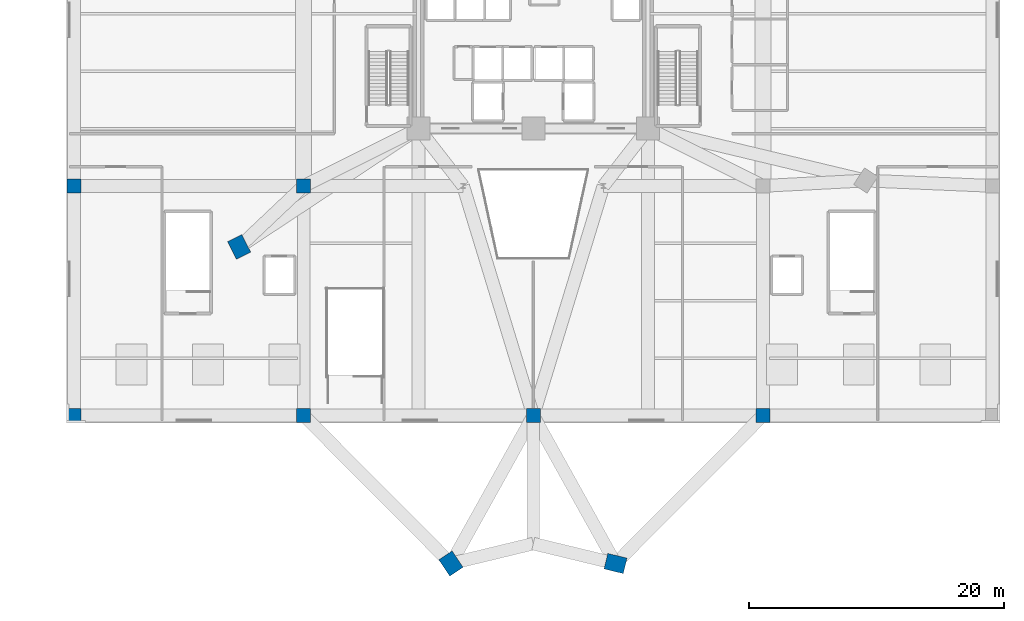
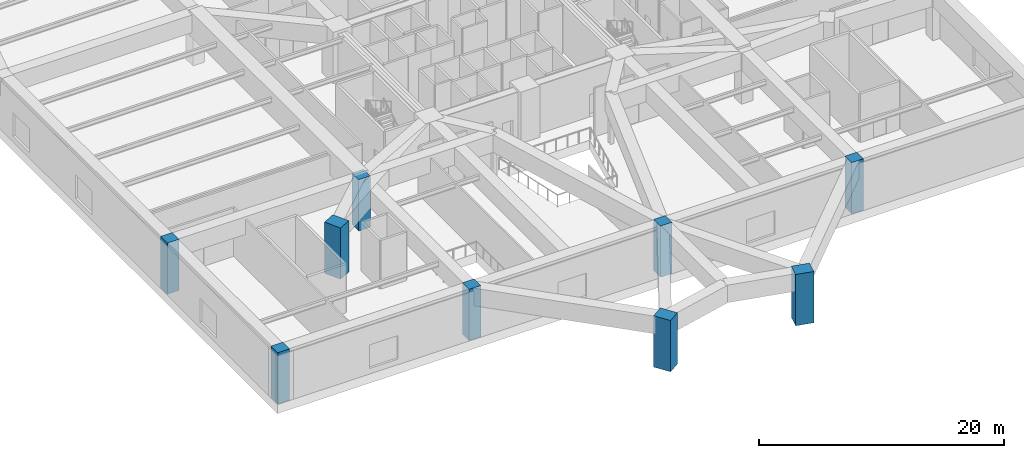
# One storey, part 1 of 14: 9 columns.
"""IFC4 building model written with IfcOpenShell, lengths in metres."""

from ifc_helpers import new_model, si_unit, direction, frame, origin, origin_2d, place, context, subcontext, project, spatial, rectangle, extrude, source, transform, mapped, material, material_profile, profile_set, type_object, element, save


model = new_model("IFC4")

# Units and contexts
model_context = context("Model", 3, precision=1e-05, world=origin(), true_north=direction((0.0, 1.0)))
body_context = subcontext(model_context, "Body", "Model", "MODEL_VIEW")
ifc_project = project(units=[si_unit("LENGTHUNIT", "METRE"), si_unit("AREAUNIT", "SQUARE_METRE"), si_unit("VOLUMEUNIT", "CUBIC_METRE"), si_unit("PLANEANGLEUNIT", "RADIAN"), si_unit("MASSUNIT", "GRAM", prefix="KILO")], contexts=[model_context])

# Site, building, storey
site_placement = place(None, origin())
site = spatial("IfcSite", under=ifc_project, at=site_placement, CompositionType="ELEMENT")
building_placement = place(site_placement, origin())
building = spatial("IfcBuilding", under=site, at=building_placement, Name="Liaohun Quay Tower", CompositionType="ELEMENT")
storey_placement = place(building_placement, frame((0.0, 0.0, 23.39990234375)))
storey = spatial("IfcBuildingStorey", under=building, at=storey_placement, Name="L06", CompositionType="ELEMENT", Elevation=23.39990234375)

# Columns
ifc_material_1 = material(Name="Concrete C60", Category="concrete")
ifc_material_profile_1 = material_profile(ifc_material_1, rectangle(XDim=1.550048828125, YDim=1.25, at=origin_2d()), Name="RC1550x1250")
ifc_profile_set_1 = profile_set([ifc_material_profile_1], Name="Concrete C60")
column_type_1 = type_object("IfcColumnType", Name="COL-PIER-Z1", PredefinedType="COLUMN", material=ifc_profile_set_1)
shared_shape_1 = source(origin(), body_context, "Body", "SweptSolid", [
    extrude(rectangle(XDim=1.550048828125, YDim=1.25, at=origin_2d()), origin(), (0.0, 0.0, 1.0), 5.10009765625),
])
for number, where, z_axis, x_axis, name in (
    (1, (53.5458984375, 12.39697265625, 0.0), (0.0, 0.0, 1.0), (-0.556005513314, 0.831178602446, 0.0), "L06 Tower Mega-Pier PC01"),
    (2, (66.447998046875, 12.39892578125, 0.0), (0.0, 0.0, 1.0), (-0.972043021443, 0.234802820391, 0.0), "L06 Tower Mega-Pier PC11"),
    (3, (36.94091796875, 37.217041015625, 0.0), (0.0, 0.0, 1.0), (-0.451500573218, 0.892270829056, 0.0), "L06 Tower Mega-Pier PC02"),
):
    element("IfcColumn", number, at=place(storey_placement, frame(where, z_axis=z_axis, x_axis=x_axis)), inside=storey, type_object=column_type_1, Name=name, PredefinedType="COLUMN", context=body_context, shape_type="MappedRepresentation", body=[
        mapped(shared_shape_1, transform((0.0, 0.0, 0.0), x_axis=(1.0, 0.0, 0.0), y_axis=(0.0, 1.0, 0.0), z_axis=(0.0, 0.0, 1.0), scale=1.0)),
    ])
ifc_material_2 = material(Name="Concrete C55", Category="concrete")
ifc_material_profile_2 = material_profile(ifc_material_2, rectangle(XDim=1.10009765625, YDim=1.10009765625, at=origin_2d()), Name="RC1100x1100")
ifc_profile_set_2 = profile_set([ifc_material_profile_2], Name="Concrete C55")
column_type_2 = type_object("IfcColumnType", Name="COL-POD-P", PredefinedType="COLUMN", material=ifc_profile_set_2)
shared_shape_2 = source(origin(), body_context, "Body", "SweptSolid", [
    extrude(rectangle(XDim=1.10009765625, YDim=1.10009765625, at=origin_2d()), origin(), (0.0, 0.0, 1.0), 5.10009765625),
])
for number, where, z_axis, x_axis, name in (
    (4, (24.0, 24.0, 0.0), (0.0, 0.0, 1.0), (1.0, 0.0, 0.0), "L06 Podium Column PG01"),
    (5, (42.0, 24.0, 0.0), (0.0, 0.0, 1.0), (1.0, 0.0, 0.0), "L06 Podium Column PG02"),
    (6, (60.0, 24.0, 0.0), (0.0, 0.0, 1.0), (1.0, 0.0, 0.0), "L06 Podium Column PG03"),
    (7, (78.0, 24.0, 0.0), (0.0, 0.0, 1.0), (1.0, 0.0, 0.0), "L06 Podium Column PG04"),
    (8, (24.0, 42.0, 0.0), (0.0, 0.0, 1.0), (1.0, 0.0, 0.0), "L06 Podium Column PG06"),
    (9, (42.0, 42.0, 0.0), (0.0, 0.0, 1.0), (1.0, 0.0, 0.0), "L06 Podium Column PG07"),
):
    element("IfcColumn", number, at=place(storey_placement, frame(where, z_axis=z_axis, x_axis=x_axis)), inside=storey, type_object=column_type_2, Name=name, PredefinedType="COLUMN", context=body_context, shape_type="MappedRepresentation", body=[
        mapped(shared_shape_2, transform((0.0, 0.0, 0.0), x_axis=(1.0, 0.0, 0.0), y_axis=(0.0, 1.0, 0.0), z_axis=(0.0, 0.0, 1.0), scale=1.0)),
    ])

save(model, "model.ifc")
